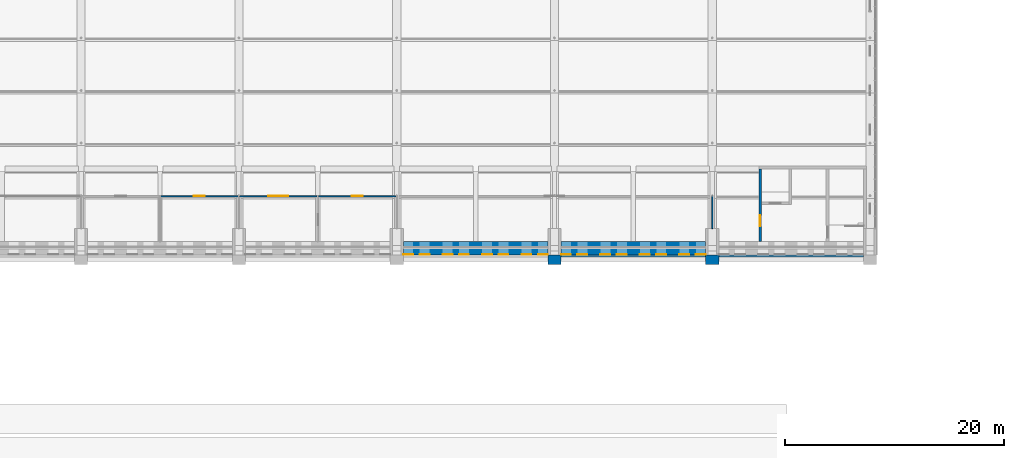
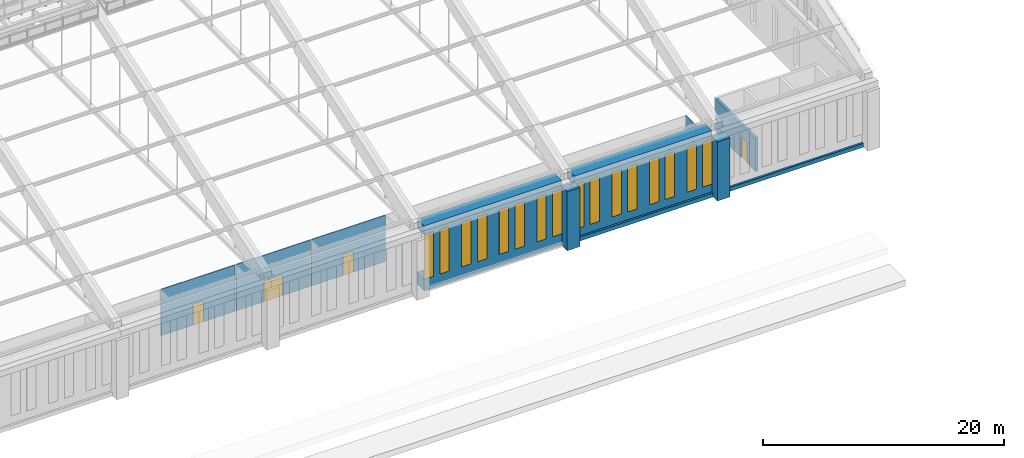
# One storey, part 125 of 149: 16 windows, 11 walls, 4 doors, 20 openings.
"""IFC4 building model written with IfcOpenShell, lengths in metres."""

from ifc_helpers import new_model, si_unit, direction, frame, frame_2d, origin, place, context, subcontext, project, spatial, rectangle, extrude, material, layer, layer_set, type_object, element, fill, save


model = new_model("IFC4")

# Units and contexts
model_context = context("Model", 3, precision=1e-05, world=origin(), true_north=direction((0.0, 1.0)))
body_context = subcontext(model_context, "Body", "Model", "MODEL_VIEW")
ifc_project = project(units=[si_unit("LENGTHUNIT", "METRE"), si_unit("AREAUNIT", "SQUARE_METRE"), si_unit("VOLUMEUNIT", "CUBIC_METRE"), si_unit("PLANEANGLEUNIT", "RADIAN"), si_unit("MASSUNIT", "GRAM", prefix="KILO")], contexts=[model_context])

# Site, building, storey
site_placement = place(None, origin())
site = spatial("IfcSite", under=ifc_project, at=site_placement, CompositionType="ELEMENT")
building_placement = place(site_placement, origin())
building = spatial("IfcBuilding", under=site, at=building_placement, Name="Alderwick Market Hall", CompositionType="ELEMENT")
storey_placement = place(building_placement, frame((0.0, 0.0, 9.60009765625)))
storey = spatial("IfcBuildingStorey", under=building, at=storey_placement, Name="L01", CompositionType="ELEMENT", Elevation=9.60009765625)

# Walls
ifc_material_1 = material(Name="Face brick masonry, ASTM C216 grade SW (f'm 17 MPa)", Category="masonry")
ifc_layer_1 = layer(ifc_material_1, 0.89990234375)
ifc_layer_set_1 = layer_set([ifc_layer_1], Name="Face brick masonry, ASTM C216 grade SW (f'm 17 MPa)")
wall_type_1 = type_object("IfcWallType", Name="H Buttress pier 900", PredefinedType="SOLIDWALL", material=ifc_layer_set_1)
for number, where, z_axis, x_axis, name in (
    (1, (121.800048828125, 49.35009765625, 0.0), (0.0, 0.0, 1.0), (1.0, 0.0, 0.0), "Buttress pier S6"),
    (2, (136.199951171875, 49.35009765625, 0.0), (0.0, 0.0, 1.0), (1.0, 0.0, 0.0), "Buttress pier S7"),
):
    element("IfcWall", number, at=place(storey_placement, frame(where, z_axis=z_axis, x_axis=x_axis)), inside=storey, type_object=wall_type_1, Name=name, PredefinedType="SOLIDWALL", context=body_context, shape_type="SweptSolid", body=[
        extrude(rectangle(XDim=1.199951171875, YDim=0.89990234375, at=frame_2d((0.60009765625, 0.0))), origin(), (0.0, 0.0, 1.0), 6.0),
    ])

# Wall, opening, door
ifc_material_2 = material(Name="Concrete 5000 psi (f'c 35 MPa)", Category="concrete")
ifc_layer_2 = layer(ifc_material_2, 0.25)
ifc_layer_set_2 = layer_set([ifc_layer_2], Name="Concrete 5000 psi (f'c 35 MPa)")
wall_type_2 = type_object("IfcWallType", Name="H Core wall 250", PredefinedType="SOLIDWALL", material=ifc_layer_set_2)
wall_1_placement = place(storey_placement, frame((141.175048828125, 51.0, 0.0), z_axis=(0.0, 0.0, 1.0), x_axis=(0.0, 1.0, 0.0)))
wall_1 = element("IfcWall", 3, at=wall_1_placement, inside=storey, type_object=wall_type_2, Name="Core wall H-SE", PredefinedType="SOLIDWALL", context=body_context, shape_type="SweptSolid", body=[
    extrude(rectangle(XDim=6.639892578125, YDim=0.25, at=frame_2d((3.31982421875, 0.0))), origin(), (0.0, 0.0, 1.0), 3.39990234375),
])
opening_1_placement = place(wall_1_placement, frame((1.39990234375, 0.0, 0.0)))
opening_1 = element("IfcOpeningElement", 4, at=opening_1_placement, cuts=wall_1, Name="Opening H-D046", PredefinedType="OPENING", context=body_context, shape_type="SweptSolid", body=[
    extrude(rectangle(XDim=1.0, YDim=2.10009765625, at=frame_2d((0.5, 1.050048828125))), frame((0.0, 0.135009765625, 0.0), z_axis=(0.0, -1.0, 0.0), x_axis=(1.0, 0.0, 0.0)), (0.0, 0.0, 1.0), 0.27001953125),
])
ifc_material_3 = material(Name="Steel, fire-rated", Category="steel")
door_type_1 = type_object("IfcDoorType", Name="H Stair door FD90 1000x2100", OperationType="SINGLE_SWING_LEFT", PredefinedType="DOOR", material=ifc_material_3)
door_1_placement = place(opening_1_placement, origin())
door_1 = element("IfcDoor", 5, at=door_1_placement, inside=storey, type_object=door_type_1, Name="Door H-D046", OperationType="SINGLE_SWING_LEFT", OverallHeight=2.10009765625, OverallWidth=1.0, PredefinedType="DOOR", context=body_context, shape_type="SweptSolid", body=[
    extrude(rectangle(XDim=1.0, YDim=2.10009765625, at=frame_2d((0.5, 1.050048828125))), frame((0.0, 0.02490234375, 0.0), z_axis=(0.0, -1.0, 0.0), x_axis=(1.0, 0.0, 0.0)), (0.0, 0.0, 1.0), 0.050048828125),
])
fill(opening_1, door_1)

# Wall, openings, windows
ifc_layer_3 = layer(ifc_material_2, 1.199951171875)
ifc_layer_set_3 = layer_set([ifc_layer_3], Name="Concrete 5000 psi (f'c 35 MPa)")
wall_type_3 = type_object("IfcWallType", Name="H Long wall 1200", PredefinedType="SOLIDWALL", material=ifc_layer_set_3)
wall_2_placement = place(storey_placement, frame((108.60009765625, 50.39990234375, 0.0), z_axis=(0.0, 0.0, 1.0), x_axis=(1.0, 0.0, 0.0)))
wall_2 = element("IfcWall", 6, at=wall_2_placement, inside=storey, type_object=wall_type_3, Name="Long wall S L01 5", PredefinedType="SOLIDWALL", context=body_context, shape_type="SweptSolid", body=[
    extrude(rectangle(XDim=13.199951171875, YDim=1.199951171875, at=frame_2d((6.60009765625, 0.0))), origin(), (0.0, 0.0, 1.0), 6.599853515625),
])
opening_2_placement = place(wall_2_placement, frame((0.0, 0.0, 1.199951171875)))
opening_2 = element("IfcOpeningElement", 7, at=opening_2_placement, cuts=wall_2, Name="Opening H-W085", PredefinedType="OPENING", context=body_context, shape_type="SweptSolid", body=[
    extrude(rectangle(XDim=0.89990234375, YDim=4.5, at=frame_2d((0.449951171875, 2.25))), frame((0.0, 0.60986328125, 0.0), z_axis=(0.0, -1.0, 0.0), x_axis=(1.0, 0.0, 0.0)), (0.0, 0.0, 1.0), 1.219970703125),
])
opening_3_placement = place(wall_2_placement, frame((1.5, 0.0, 1.199951171875)))
opening_3 = element("IfcOpeningElement", 8, at=opening_3_placement, cuts=wall_2, Name="Opening H-W086", PredefinedType="OPENING", context=body_context, shape_type="SweptSolid", body=[
    extrude(rectangle(XDim=0.89990234375, YDim=4.5, at=frame_2d((0.449951171875, 2.25))), frame((0.0, 0.60986328125, 0.0), z_axis=(0.0, -1.0, 0.0), x_axis=(1.0, 0.0, 0.0)), (0.0, 0.0, 1.0), 1.219970703125),
])
opening_4_placement = place(wall_2_placement, frame((3.60009765625, 0.0, 1.199951171875)))
opening_4 = element("IfcOpeningElement", 9, at=opening_4_placement, cuts=wall_2, Name="Opening H-W087", PredefinedType="OPENING", context=body_context, shape_type="SweptSolid", body=[
    extrude(rectangle(XDim=0.89990234375, YDim=4.5, at=frame_2d((0.449951171875, 2.25))), frame((0.0, 0.60986328125, 0.0), z_axis=(0.0, -1.0, 0.0), x_axis=(1.0, 0.0, 0.0)), (0.0, 0.0, 1.0), 1.219970703125),
])
opening_5_placement = place(wall_2_placement, frame((5.10009765625, 0.0, 1.199951171875)))
opening_5 = element("IfcOpeningElement", 10, at=opening_5_placement, cuts=wall_2, Name="Opening H-W088", PredefinedType="OPENING", context=body_context, shape_type="SweptSolid", body=[
    extrude(rectangle(XDim=0.89990234375, YDim=4.5, at=frame_2d((0.449951171875, 2.25))), frame((0.0, 0.60986328125, 0.0), z_axis=(0.0, -1.0, 0.0), x_axis=(1.0, 0.0, 0.0)), (0.0, 0.0, 1.0), 1.219970703125),
])
opening_6_placement = place(wall_2_placement, frame((7.199951171875, 0.0, 1.199951171875)))
opening_6 = element("IfcOpeningElement", 11, at=opening_6_placement, cuts=wall_2, Name="Opening H-W089", PredefinedType="OPENING", context=body_context, shape_type="SweptSolid", body=[
    extrude(rectangle(XDim=0.89990234375, YDim=4.5, at=frame_2d((0.449951171875, 2.25))), frame((0.0, 0.60986328125, 0.0), z_axis=(0.0, -1.0, 0.0), x_axis=(1.0, 0.0, 0.0)), (0.0, 0.0, 1.0), 1.219970703125),
])
opening_7_placement = place(wall_2_placement, frame((8.699951171875, 0.0, 1.199951171875)))
opening_7 = element("IfcOpeningElement", 12, at=opening_7_placement, cuts=wall_2, Name="Opening H-W090", PredefinedType="OPENING", context=body_context, shape_type="SweptSolid", body=[
    extrude(rectangle(XDim=0.89990234375, YDim=4.5, at=frame_2d((0.449951171875, 2.25))), frame((0.0, 0.60986328125, 0.0), z_axis=(0.0, -1.0, 0.0), x_axis=(1.0, 0.0, 0.0)), (0.0, 0.0, 1.0), 1.219970703125),
])
opening_8_placement = place(wall_2_placement, frame((10.800048828125, 0.0, 1.199951171875)))
opening_8 = element("IfcOpeningElement", 13, at=opening_8_placement, cuts=wall_2, Name="Opening H-W091", PredefinedType="OPENING", context=body_context, shape_type="SweptSolid", body=[
    extrude(rectangle(XDim=0.89990234375, YDim=4.5, at=frame_2d((0.449951171875, 2.25))), frame((0.0, 0.60986328125, 0.0), z_axis=(0.0, -1.0, 0.0), x_axis=(1.0, 0.0, 0.0)), (0.0, 0.0, 1.0), 1.219970703125),
])
opening_9_placement = place(wall_2_placement, frame((12.300048828125, 0.0, 1.199951171875)))
opening_9 = element("IfcOpeningElement", 14, at=opening_9_placement, cuts=wall_2, Name="Opening H-W092", PredefinedType="OPENING", context=body_context, shape_type="SweptSolid", body=[
    extrude(rectangle(XDim=0.89990234375, YDim=4.5, at=frame_2d((0.449951171875, 2.25))), frame((0.0, 0.60986328125, 0.0), z_axis=(0.0, -1.0, 0.0), x_axis=(1.0, 0.0, 0.0)), (0.0, 0.0, 1.0), 1.219970703125),
])
ifc_material_4 = material(Name="Aluminium frame with insulated glass", Category="aluminium")
window_type = type_object("IfcWindowType", Name="H Window 900x4500", PartitioningType="SINGLE_PANEL", PredefinedType="WINDOW", material=ifc_material_4)
window_1_placement = place(opening_2_placement, origin())
window_1 = element("IfcWindow", 15, at=window_1_placement, inside=storey, type_object=window_type, Name="Window H-W085", OverallHeight=4.5, OverallWidth=0.89990234375, PartitioningType="SINGLE_PANEL", PredefinedType="WINDOW", context=body_context, shape_type="SweptSolid", body=[
    extrude(rectangle(XDim=0.89990234375, YDim=4.5, at=frame_2d((0.449951171875, 2.25))), frame((0.0, -0.550048828125, 0.0), z_axis=(0.0, -1.0, 0.0), x_axis=(1.0, 0.0, 0.0)), (0.0, 0.0, 1.0), 0.06005859375),
])
fill(opening_2, window_1)
window_2_placement = place(opening_3_placement, origin())
window_2 = element("IfcWindow", 16, at=window_2_placement, inside=storey, type_object=window_type, Name="Window H-W086", OverallHeight=4.5, OverallWidth=0.89990234375, PartitioningType="SINGLE_PANEL", PredefinedType="WINDOW", context=body_context, shape_type="SweptSolid", body=[
    extrude(rectangle(XDim=0.89990234375, YDim=4.5, at=frame_2d((0.449951171875, 2.25))), frame((0.0, -0.550048828125, 0.0), z_axis=(0.0, -1.0, 0.0), x_axis=(1.0, 0.0, 0.0)), (0.0, 0.0, 1.0), 0.06005859375),
])
fill(opening_3, window_2)
window_3_placement = place(opening_4_placement, origin())
window_3 = element("IfcWindow", 17, at=window_3_placement, inside=storey, type_object=window_type, Name="Window H-W087", OverallHeight=4.5, OverallWidth=0.89990234375, PartitioningType="SINGLE_PANEL", PredefinedType="WINDOW", context=body_context, shape_type="SweptSolid", body=[
    extrude(rectangle(XDim=0.89990234375, YDim=4.5, at=frame_2d((0.449951171875, 2.25))), frame((0.0, -0.550048828125, 0.0), z_axis=(0.0, -1.0, 0.0), x_axis=(1.0, 0.0, 0.0)), (0.0, 0.0, 1.0), 0.06005859375),
])
fill(opening_4, window_3)
window_4_placement = place(opening_5_placement, origin())
window_4 = element("IfcWindow", 18, at=window_4_placement, inside=storey, type_object=window_type, Name="Window H-W088", OverallHeight=4.5, OverallWidth=0.89990234375, PartitioningType="SINGLE_PANEL", PredefinedType="WINDOW", context=body_context, shape_type="SweptSolid", body=[
    extrude(rectangle(XDim=0.89990234375, YDim=4.5, at=frame_2d((0.449951171875, 2.25))), frame((0.0, -0.550048828125, 0.0), z_axis=(0.0, -1.0, 0.0), x_axis=(1.0, 0.0, 0.0)), (0.0, 0.0, 1.0), 0.06005859375),
])
fill(opening_5, window_4)
window_5_placement = place(opening_6_placement, origin())
window_5 = element("IfcWindow", 19, at=window_5_placement, inside=storey, type_object=window_type, Name="Window H-W089", OverallHeight=4.5, OverallWidth=0.89990234375, PartitioningType="SINGLE_PANEL", PredefinedType="WINDOW", context=body_context, shape_type="SweptSolid", body=[
    extrude(rectangle(XDim=0.89990234375, YDim=4.5, at=frame_2d((0.449951171875, 2.25))), frame((0.0, -0.550048828125, 0.0), z_axis=(0.0, -1.0, 0.0), x_axis=(1.0, 0.0, 0.0)), (0.0, 0.0, 1.0), 0.06005859375),
])
fill(opening_6, window_5)
window_6_placement = place(opening_7_placement, origin())
window_6 = element("IfcWindow", 20, at=window_6_placement, inside=storey, type_object=window_type, Name="Window H-W090", OverallHeight=4.5, OverallWidth=0.89990234375, PartitioningType="SINGLE_PANEL", PredefinedType="WINDOW", context=body_context, shape_type="SweptSolid", body=[
    extrude(rectangle(XDim=0.89990234375, YDim=4.5, at=frame_2d((0.449951171875, 2.25))), frame((0.0, -0.550048828125, 0.0), z_axis=(0.0, -1.0, 0.0), x_axis=(1.0, 0.0, 0.0)), (0.0, 0.0, 1.0), 0.06005859375),
])
fill(opening_7, window_6)
window_7_placement = place(opening_8_placement, origin())
window_7 = element("IfcWindow", 21, at=window_7_placement, inside=storey, type_object=window_type, Name="Window H-W091", OverallHeight=4.5, OverallWidth=0.89990234375, PartitioningType="SINGLE_PANEL", PredefinedType="WINDOW", context=body_context, shape_type="SweptSolid", body=[
    extrude(rectangle(XDim=0.89990234375, YDim=4.5, at=frame_2d((0.449951171875, 2.25))), frame((0.0, -0.550048828125, 0.0), z_axis=(0.0, -1.0, 0.0), x_axis=(1.0, 0.0, 0.0)), (0.0, 0.0, 1.0), 0.06005859375),
])
fill(opening_8, window_7)
window_8_placement = place(opening_9_placement, origin())
window_8 = element("IfcWindow", 22, at=window_8_placement, inside=storey, type_object=window_type, Name="Window H-W092", OverallHeight=4.5, OverallWidth=0.89990234375, PartitioningType="SINGLE_PANEL", PredefinedType="WINDOW", context=body_context, shape_type="SweptSolid", body=[
    extrude(rectangle(XDim=0.89990234375, YDim=4.5, at=frame_2d((0.449951171875, 2.25))), frame((0.0, -0.550048828125, 0.0), z_axis=(0.0, -1.0, 0.0), x_axis=(1.0, 0.0, 0.0)), (0.0, 0.0, 1.0), 0.06005859375),
])
fill(opening_9, window_8)

wall_3_placement = place(storey_placement, frame((123.0, 50.39990234375, 0.0), z_axis=(0.0, 0.0, 1.0), x_axis=(1.0, 0.0, 0.0)))
wall_3 = element("IfcWall", 23, at=wall_3_placement, inside=storey, type_object=wall_type_3, Name="Long wall S L01 6", PredefinedType="SOLIDWALL", context=body_context, shape_type="SweptSolid", body=[
    extrude(rectangle(XDim=13.199951171875, YDim=1.199951171875, at=frame_2d((6.60009765625, 0.0))), origin(), (0.0, 0.0, 1.0), 6.599853515625),
])
opening_10_placement = place(wall_3_placement, frame((0.0, 0.0, 1.199951171875)))
opening_10 = element("IfcOpeningElement", 24, at=opening_10_placement, cuts=wall_3, Name="Opening H-W093", PredefinedType="OPENING", context=body_context, shape_type="SweptSolid", body=[
    extrude(rectangle(XDim=0.89990234375, YDim=4.5, at=frame_2d((0.449951171875, 2.25))), frame((0.0, 0.60986328125, 0.0), z_axis=(0.0, -1.0, 0.0), x_axis=(1.0, 0.0, 0.0)), (0.0, 0.0, 1.0), 1.219970703125),
])
opening_11_placement = place(wall_3_placement, frame((1.5, 0.0, 1.199951171875)))
opening_11 = element("IfcOpeningElement", 25, at=opening_11_placement, cuts=wall_3, Name="Opening H-W094", PredefinedType="OPENING", context=body_context, shape_type="SweptSolid", body=[
    extrude(rectangle(XDim=0.89990234375, YDim=4.5, at=frame_2d((0.449951171875, 2.25))), frame((0.0, 0.60986328125, 0.0), z_axis=(0.0, -1.0, 0.0), x_axis=(1.0, 0.0, 0.0)), (0.0, 0.0, 1.0), 1.219970703125),
])
opening_12_placement = place(wall_3_placement, frame((3.60009765625, 0.0, 1.199951171875)))
opening_12 = element("IfcOpeningElement", 26, at=opening_12_placement, cuts=wall_3, Name="Opening H-W095", PredefinedType="OPENING", context=body_context, shape_type="SweptSolid", body=[
    extrude(rectangle(XDim=0.89990234375, YDim=4.5, at=frame_2d((0.449951171875, 2.25))), frame((0.0, 0.60986328125, 0.0), z_axis=(0.0, -1.0, 0.0), x_axis=(1.0, 0.0, 0.0)), (0.0, 0.0, 1.0), 1.219970703125),
])
opening_13_placement = place(wall_3_placement, frame((5.10009765625, 0.0, 1.199951171875)))
opening_13 = element("IfcOpeningElement", 27, at=opening_13_placement, cuts=wall_3, Name="Opening H-W096", PredefinedType="OPENING", context=body_context, shape_type="SweptSolid", body=[
    extrude(rectangle(XDim=0.89990234375, YDim=4.5, at=frame_2d((0.449951171875, 2.25))), frame((0.0, 0.60986328125, 0.0), z_axis=(0.0, -1.0, 0.0), x_axis=(1.0, 0.0, 0.0)), (0.0, 0.0, 1.0), 1.219970703125),
])
opening_14_placement = place(wall_3_placement, frame((7.199951171875, 0.0, 1.199951171875)))
opening_14 = element("IfcOpeningElement", 28, at=opening_14_placement, cuts=wall_3, Name="Opening H-W097", PredefinedType="OPENING", context=body_context, shape_type="SweptSolid", body=[
    extrude(rectangle(XDim=0.89990234375, YDim=4.5, at=frame_2d((0.449951171875, 2.25))), frame((0.0, 0.60986328125, 0.0), z_axis=(0.0, -1.0, 0.0), x_axis=(1.0, 0.0, 0.0)), (0.0, 0.0, 1.0), 1.219970703125),
])
opening_15_placement = place(wall_3_placement, frame((8.699951171875, 0.0, 1.199951171875)))
opening_15 = element("IfcOpeningElement", 29, at=opening_15_placement, cuts=wall_3, Name="Opening H-W098", PredefinedType="OPENING", context=body_context, shape_type="SweptSolid", body=[
    extrude(rectangle(XDim=0.89990234375, YDim=4.5, at=frame_2d((0.449951171875, 2.25))), frame((0.0, 0.60986328125, 0.0), z_axis=(0.0, -1.0, 0.0), x_axis=(1.0, 0.0, 0.0)), (0.0, 0.0, 1.0), 1.219970703125),
])
opening_16_placement = place(wall_3_placement, frame((10.800048828125, 0.0, 1.199951171875)))
opening_16 = element("IfcOpeningElement", 30, at=opening_16_placement, cuts=wall_3, Name="Opening H-W099", PredefinedType="OPENING", context=body_context, shape_type="SweptSolid", body=[
    extrude(rectangle(XDim=0.89990234375, YDim=4.5, at=frame_2d((0.449951171875, 2.25))), frame((0.0, 0.60986328125, 0.0), z_axis=(0.0, -1.0, 0.0), x_axis=(1.0, 0.0, 0.0)), (0.0, 0.0, 1.0), 1.219970703125),
])
opening_17_placement = place(wall_3_placement, frame((12.300048828125, 0.0, 1.199951171875)))
opening_17 = element("IfcOpeningElement", 31, at=opening_17_placement, cuts=wall_3, Name="Opening H-W100", PredefinedType="OPENING", context=body_context, shape_type="SweptSolid", body=[
    extrude(rectangle(XDim=0.89990234375, YDim=4.5, at=frame_2d((0.449951171875, 2.25))), frame((0.0, 0.60986328125, 0.0), z_axis=(0.0, -1.0, 0.0), x_axis=(1.0, 0.0, 0.0)), (0.0, 0.0, 1.0), 1.219970703125),
])
window_9_placement = place(opening_10_placement, origin())
window_9 = element("IfcWindow", 32, at=window_9_placement, inside=storey, type_object=window_type, Name="Window H-W093", OverallHeight=4.5, OverallWidth=0.89990234375, PartitioningType="SINGLE_PANEL", PredefinedType="WINDOW", context=body_context, shape_type="SweptSolid", body=[
    extrude(rectangle(XDim=0.89990234375, YDim=4.5, at=frame_2d((0.449951171875, 2.25))), frame((0.0, -0.550048828125, 0.0), z_axis=(0.0, -1.0, 0.0), x_axis=(1.0, 0.0, 0.0)), (0.0, 0.0, 1.0), 0.06005859375),
])
fill(opening_10, window_9)
window_10_placement = place(opening_11_placement, origin())
window_10 = element("IfcWindow", 33, at=window_10_placement, inside=storey, type_object=window_type, Name="Window H-W094", OverallHeight=4.5, OverallWidth=0.89990234375, PartitioningType="SINGLE_PANEL", PredefinedType="WINDOW", context=body_context, shape_type="SweptSolid", body=[
    extrude(rectangle(XDim=0.89990234375, YDim=4.5, at=frame_2d((0.449951171875, 2.25))), frame((0.0, -0.550048828125, 0.0), z_axis=(0.0, -1.0, 0.0), x_axis=(1.0, 0.0, 0.0)), (0.0, 0.0, 1.0), 0.06005859375),
])
fill(opening_11, window_10)
window_11_placement = place(opening_12_placement, origin())
window_11 = element("IfcWindow", 34, at=window_11_placement, inside=storey, type_object=window_type, Name="Window H-W095", OverallHeight=4.5, OverallWidth=0.89990234375, PartitioningType="SINGLE_PANEL", PredefinedType="WINDOW", context=body_context, shape_type="SweptSolid", body=[
    extrude(rectangle(XDim=0.89990234375, YDim=4.5, at=frame_2d((0.449951171875, 2.25))), frame((0.0, -0.550048828125, 0.0), z_axis=(0.0, -1.0, 0.0), x_axis=(1.0, 0.0, 0.0)), (0.0, 0.0, 1.0), 0.06005859375),
])
fill(opening_12, window_11)
window_12_placement = place(opening_13_placement, origin())
window_12 = element("IfcWindow", 35, at=window_12_placement, inside=storey, type_object=window_type, Name="Window H-W096", OverallHeight=4.5, OverallWidth=0.89990234375, PartitioningType="SINGLE_PANEL", PredefinedType="WINDOW", context=body_context, shape_type="SweptSolid", body=[
    extrude(rectangle(XDim=0.89990234375, YDim=4.5, at=frame_2d((0.449951171875, 2.25))), frame((0.0, -0.550048828125, 0.0), z_axis=(0.0, -1.0, 0.0), x_axis=(1.0, 0.0, 0.0)), (0.0, 0.0, 1.0), 0.06005859375),
])
fill(opening_13, window_12)
window_13_placement = place(opening_14_placement, origin())
window_13 = element("IfcWindow", 36, at=window_13_placement, inside=storey, type_object=window_type, Name="Window H-W097", OverallHeight=4.5, OverallWidth=0.89990234375, PartitioningType="SINGLE_PANEL", PredefinedType="WINDOW", context=body_context, shape_type="SweptSolid", body=[
    extrude(rectangle(XDim=0.89990234375, YDim=4.5, at=frame_2d((0.449951171875, 2.25))), frame((0.0, -0.550048828125, 0.0), z_axis=(0.0, -1.0, 0.0), x_axis=(1.0, 0.0, 0.0)), (0.0, 0.0, 1.0), 0.06005859375),
])
fill(opening_14, window_13)
window_14_placement = place(opening_15_placement, origin())
window_14 = element("IfcWindow", 37, at=window_14_placement, inside=storey, type_object=window_type, Name="Window H-W098", OverallHeight=4.5, OverallWidth=0.89990234375, PartitioningType="SINGLE_PANEL", PredefinedType="WINDOW", context=body_context, shape_type="SweptSolid", body=[
    extrude(rectangle(XDim=0.89990234375, YDim=4.5, at=frame_2d((0.449951171875, 2.25))), frame((0.0, -0.550048828125, 0.0), z_axis=(0.0, -1.0, 0.0), x_axis=(1.0, 0.0, 0.0)), (0.0, 0.0, 1.0), 0.06005859375),
])
fill(opening_15, window_14)
window_15_placement = place(opening_16_placement, origin())
window_15 = element("IfcWindow", 38, at=window_15_placement, inside=storey, type_object=window_type, Name="Window H-W099", OverallHeight=4.5, OverallWidth=0.89990234375, PartitioningType="SINGLE_PANEL", PredefinedType="WINDOW", context=body_context, shape_type="SweptSolid", body=[
    extrude(rectangle(XDim=0.89990234375, YDim=4.5, at=frame_2d((0.449951171875, 2.25))), frame((0.0, -0.550048828125, 0.0), z_axis=(0.0, -1.0, 0.0), x_axis=(1.0, 0.0, 0.0)), (0.0, 0.0, 1.0), 0.06005859375),
])
fill(opening_16, window_15)
window_16_placement = place(opening_17_placement, origin())
window_16 = element("IfcWindow", 39, at=window_16_placement, inside=storey, type_object=window_type, Name="Window H-W100", OverallHeight=4.5, OverallWidth=0.89990234375, PartitioningType="SINGLE_PANEL", PredefinedType="WINDOW", context=body_context, shape_type="SweptSolid", body=[
    extrude(rectangle(XDim=0.89990234375, YDim=4.5, at=frame_2d((0.449951171875, 2.25))), frame((0.0, -0.550048828125, 0.0), z_axis=(0.0, -1.0, 0.0), x_axis=(1.0, 0.0, 0.0)), (0.0, 0.0, 1.0), 0.06005859375),
])
fill(opening_17, window_16)

# Wall
ifc_material_5 = material(Name="Gypsum board partition")
ifc_layer_4 = layer(ifc_material_5, 0.10009765625)
ifc_layer_set_4 = layer_set([ifc_layer_4], Name="Gypsum board partition")
wall_type_4 = type_object("IfcWallType", Name="H Partition 100", PredefinedType="PARTITIONING", material=ifc_layer_set_4)
wall_4_placement = place(storey_placement, frame((136.800048828125, 52.199951171875, 0.0), z_axis=(0.0, 0.0, 1.0), x_axis=(0.0, 1.0, 0.0)))
element("IfcWall", 40, at=wall_4_placement, inside=storey, type_object=wall_type_4, Name="Partition", PredefinedType="PARTITIONING", context=body_context, shape_type="SweptSolid", body=[
    extrude(rectangle(XDim=3.0, YDim=0.10009765625, at=frame_2d((1.5, 0.0))), origin(), (0.0, 0.0, 1.0), 4.699951171875),
])

# Wall, opening, door
wall_5_placement = place(storey_placement, frame((86.449951171875, 55.14990234375, 0.0), z_axis=(0.0, 0.0, 1.0), x_axis=(1.0, 0.0, 0.0)))
wall_5 = element("IfcWall", 41, at=wall_5_placement, inside=storey, type_object=wall_type_4, Name="Partition", PredefinedType="PARTITIONING", context=body_context, shape_type="SweptSolid", body=[
    extrude(rectangle(XDim=7.10009765625, YDim=0.10009765625, at=frame_2d((3.550048828125, 0.0))), origin(), (0.0, 0.0, 1.0), 4.699951171875),
])
opening_18_placement = place(wall_5_placement, frame((3.050048828125, 0.0, 0.0)))
opening_18 = element("IfcOpeningElement", 42, at=opening_18_placement, cuts=wall_5, Name="Opening H-D084", PredefinedType="OPENING", context=body_context, shape_type="SweptSolid", body=[
    extrude(rectangle(XDim=1.0, YDim=2.10009765625, at=frame_2d((0.5, 1.050048828125))), frame((0.0, 0.06005859375, 0.0), z_axis=(0.0, -1.0, 0.0), x_axis=(1.0, 0.0, 0.0)), (0.0, 0.0, 1.0), 0.1201171875),
])
ifc_material_6 = material(Name="Timber, solid core", Category="wood")
door_type_2 = type_object("IfcDoorType", Name="H Room door 1000x2100", OperationType="SINGLE_SWING_LEFT", PredefinedType="DOOR", material=ifc_material_6)
door_2_placement = place(opening_18_placement, origin())
door_2 = element("IfcDoor", 43, at=door_2_placement, inside=storey, type_object=door_type_2, Name="Door H-D084", OperationType="SINGLE_SWING_LEFT", OverallHeight=2.10009765625, OverallWidth=1.0, PredefinedType="DOOR", context=body_context, shape_type="SweptSolid", body=[
    extrude(rectangle(XDim=1.0, YDim=2.10009765625, at=frame_2d((0.5, 1.050048828125))), frame((0.0, 0.02490234375, 0.0), z_axis=(0.0, -1.0, 0.0), x_axis=(1.0, 0.0, 0.0)), (0.0, 0.0, 1.0), 0.050048828125),
])
fill(opening_18, door_2)

wall_6_placement = place(storey_placement, frame((93.64990234375, 55.14990234375, 0.0), z_axis=(0.0, 0.0, 1.0), x_axis=(1.0, 0.0, 0.0)))
wall_6 = element("IfcWall", 44, at=wall_6_placement, inside=storey, type_object=wall_type_4, Name="Partition", PredefinedType="PARTITIONING", context=body_context, shape_type="SweptSolid", body=[
    extrude(rectangle(XDim=7.10009765625, YDim=0.10009765625, at=frame_2d((3.550048828125, 0.0))), origin(), (0.0, 0.0, 1.0), 4.699951171875),
])
opening_19_placement = place(wall_6_placement, frame((2.64990234375, 0.0, 0.0)))
opening_19 = element("IfcOpeningElement", 45, at=opening_19_placement, cuts=wall_6, Name="Opening H-D085", PredefinedType="OPENING", context=body_context, shape_type="SweptSolid", body=[
    extrude(rectangle(XDim=1.800048828125, YDim=2.10009765625, at=frame_2d((0.89990234375, 1.050048828125))), frame((0.0, 0.06005859375, 0.0), z_axis=(0.0, -1.0, 0.0), x_axis=(1.0, 0.0, 0.0)), (0.0, 0.0, 1.0), 0.1201171875),
])
ifc_material_7 = material(Name="Timber and glass", Category="wood")
door_type_3 = type_object("IfcDoorType", Name="H Double door 1800x2100", OperationType="DOUBLE_DOOR_SINGLE_SWING", PredefinedType="DOOR", material=ifc_material_7)
door_3_placement = place(opening_19_placement, origin())
door_3 = element("IfcDoor", 46, at=door_3_placement, inside=storey, type_object=door_type_3, Name="Door H-D085", OperationType="DOUBLE_DOOR_SINGLE_SWING", OverallHeight=2.10009765625, OverallWidth=1.800048828125, PredefinedType="DOOR", context=body_context, shape_type="SweptSolid", body=[
    extrude(rectangle(XDim=1.800048828125, YDim=2.10009765625, at=frame_2d((0.89990234375, 1.050048828125))), frame((0.0, 0.02490234375, 0.0), z_axis=(0.0, -1.0, 0.0), x_axis=(1.0, 0.0, 0.0)), (0.0, 0.0, 1.0), 0.050048828125),
])
fill(opening_19, door_3)

wall_7_placement = place(storey_placement, frame((100.85009765625, 55.14990234375, 0.0), z_axis=(0.0, 0.0, 1.0), x_axis=(1.0, 0.0, 0.0)))
wall_7 = element("IfcWall", 47, at=wall_7_placement, inside=storey, type_object=wall_type_4, Name="Partition", PredefinedType="PARTITIONING", context=body_context, shape_type="SweptSolid", body=[
    extrude(rectangle(XDim=7.099853515625, YDim=0.10009765625, at=frame_2d((3.5498046875, 0.0))), origin(), (0.0, 0.0, 1.0), 4.699951171875),
])
opening_20_placement = place(wall_7_placement, frame((3.050048828125, 0.0, 0.0)))
opening_20 = element("IfcOpeningElement", 48, at=opening_20_placement, cuts=wall_7, Name="Opening H-D086", PredefinedType="OPENING", context=body_context, shape_type="SweptSolid", body=[
    extrude(rectangle(XDim=1.0, YDim=2.10009765625, at=frame_2d((0.5, 1.050048828125))), frame((0.0, 0.06005859375, 0.0), z_axis=(0.0, -1.0, 0.0), x_axis=(1.0, 0.0, 0.0)), (0.0, 0.0, 1.0), 0.1201171875),
])
door_4_placement = place(opening_20_placement, origin())
door_4 = element("IfcDoor", 49, at=door_4_placement, inside=storey, type_object=door_type_2, Name="Door H-D086", OperationType="SINGLE_SWING_LEFT", OverallHeight=2.10009765625, OverallWidth=1.0, PredefinedType="DOOR", context=body_context, shape_type="SweptSolid", body=[
    extrude(rectangle(XDim=1.0, YDim=2.10009765625, at=frame_2d((0.5, 1.050048828125))), frame((0.0, 0.02490234375, 0.0), z_axis=(0.0, -1.0, 0.0), x_axis=(1.0, 0.0, 0.0)), (0.0, 0.0, 1.0), 0.050048828125),
])
fill(opening_20, door_4)

# Walls
ifc_material_8 = material(Name="Cast stone 5000 psi (f'c 35 MPa), ASTM C1364", Category="masonry")
ifc_layer_5 = layer(ifc_material_8, 0.199951171875)
ifc_layer_set_5 = layer_set([ifc_layer_5], Name="Cast stone 5000 psi (f'c 35 MPa), ASTM C1364")
wall_type_5 = type_object("IfcWallType", Name="H String course 200", PredefinedType="SOLIDWALL", material=ifc_layer_set_5)
wall_8_placement = place(storey_placement, frame((123.0, 49.699951171875, 0.0), z_axis=(0.0, 0.0, 1.0), x_axis=(1.0, 0.0, 0.0)))
element("IfcWall", 50, at=wall_8_placement, inside=storey, type_object=wall_type_5, Name="String course S6", PredefinedType="SOLIDWALL", context=body_context, shape_type="SweptSolid", body=[
    extrude(rectangle(XDim=13.199951171875, YDim=0.199951171875, at=frame_2d((6.60009765625, 0.0))), origin(), (0.0, 0.0, 1.0), 0.39990234375),
])
wall_9_placement = place(storey_placement, frame((137.39990234375, 49.699951171875, 0.0), z_axis=(0.0, 0.0, 1.0), x_axis=(1.0, 0.0, 0.0)))
element("IfcWall", 51, at=wall_9_placement, inside=storey, type_object=wall_type_5, Name="String course S7", PredefinedType="SOLIDWALL", context=body_context, shape_type="SweptSolid", body=[
    extrude(rectangle(XDim=13.2001953125, YDim=0.199951171875, at=frame_2d((6.60009765625, 0.0))), origin(), (0.0, 0.0, 1.0), 0.39990234375),
])

save(model, "model.ifc")
